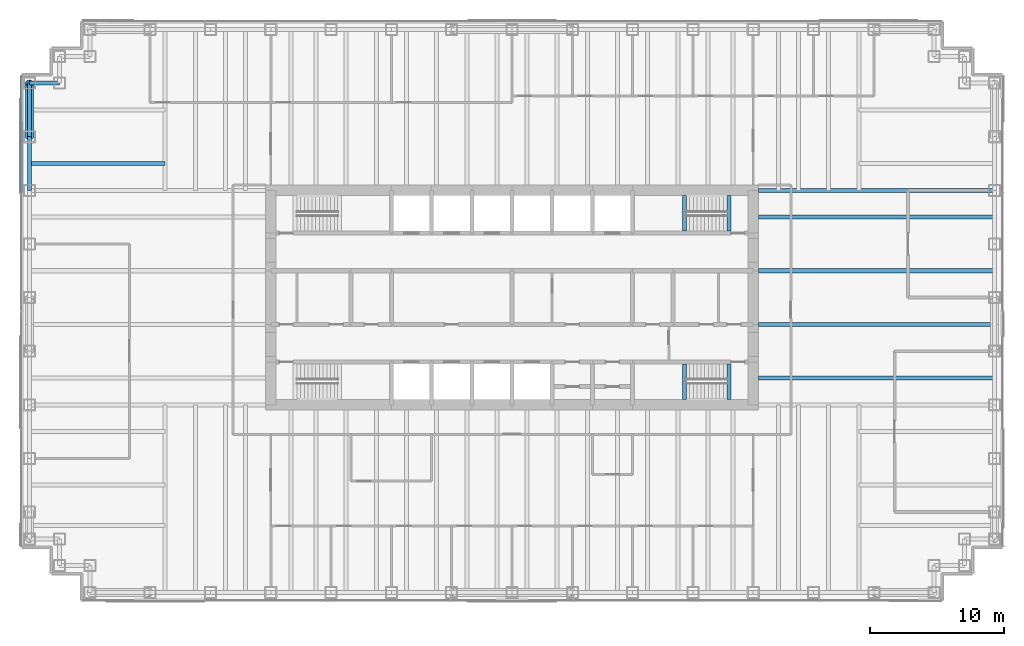
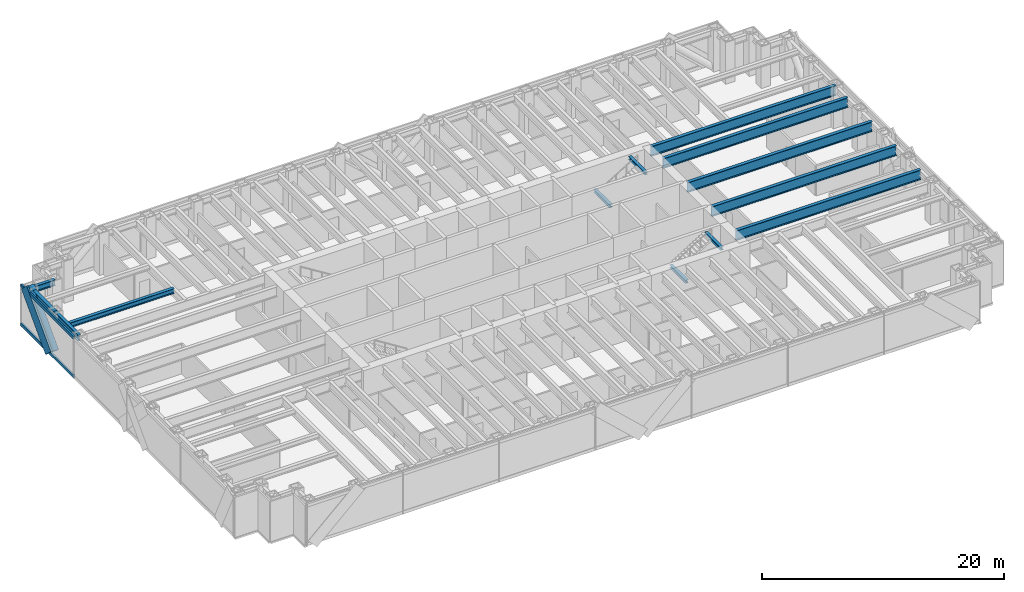
# One storey, part 4 of 15: 13 beams, 4 members, 1 element without a shape of its own.
"""IFC4 building model written with IfcOpenShell, lengths in metres."""

from ifc_helpers import new_model, si_unit, direction, frame, origin, origin_2d, place, context, subcontext, project, spatial, rectangle, hollow_circle, i_section, extrude, material, material_profile, profile_set, type_object, element, aggregate, save


model = new_model("IFC4")

# Units and contexts
model_context = context("Model", 3, precision=1e-05, world=origin(), true_north=direction((0.0, 1.0)))
body_context = subcontext(model_context, "Body", "Model", "MODEL_VIEW")
ifc_project = project(units=[si_unit("LENGTHUNIT", "METRE"), si_unit("AREAUNIT", "SQUARE_METRE"), si_unit("VOLUMEUNIT", "CUBIC_METRE"), si_unit("PLANEANGLEUNIT", "RADIAN"), si_unit("MASSUNIT", "GRAM", prefix="KILO")], contexts=[model_context])

# Site, building, storey
site_placement = place(None, origin())
site = spatial("IfcSite", under=ifc_project, at=site_placement, CompositionType="ELEMENT")
building_placement = place(site_placement, origin())
building = spatial("IfcBuilding", under=site, at=building_placement, Name="Rheinbord Bourse Tower", CompositionType="ELEMENT")
storey_placement = place(building_placement, frame((0.0, 0.0, 215.199951171875)))
storey = spatial("IfcBuildingStorey", under=building, at=storey_placement, Name="L48", CompositionType="ELEMENT", Elevation=215.199951171875)

# Curtain wall, members
ifc_material_1 = material(Name="Dark glass and black aluminium", Category="aluminium")
curtain_wall_type = type_object("IfcCurtainWallType", Name="CW2 DARK GLASS CURTAIN WALL", PredefinedType="USERDEFINED", material=ifc_material_1)
curtain_wall_placement = place(storey_placement, origin())
curtain_wall = element("IfcCurtainWall", 1, at=curtain_wall_placement, inside=storey, type_object=curtain_wall_type, Name="Curtain wall CW2 W L48", ObjectType="UNITISED CURTAIN WALL", PredefinedType="USERDEFINED")
ifc_material_2 = material(Name="Black anodised aluminium", Category="aluminium")
ifc_material_profile_1 = material_profile(ifc_material_2, rectangle(XDim=0.159912109375, YDim=1.2099609375, at=origin_2d()), Name="CW2 DIAGONAL MULLION 1210x160")
ifc_profile_set_1 = profile_set([ifc_material_profile_1], Name="Black anodised aluminium")
member_type_1 = type_object("IfcMemberType", Name="CW2 BLACK DIAGONAL MULLION", PredefinedType="USERDEFINED", material=ifc_profile_set_1)
member_1_placement = place(storey_placement, frame((-0.60009765625, 36.0, 0.0), z_axis=(0.0, 0.689659376744, 0.724133926887), x_axis=(-1.0, 0.0, 0.0)))
member_1 = element("IfcMember", 2, at=member_1_placement, type_object=member_type_1, Name="CW2 diagonal mullion d", ObjectType="DIAGONAL MULLION", PredefinedType="USERDEFINED", context=body_context, shape_type="SweptSolid", body=[
    extrude(rectangle(XDim=0.159912109375, YDim=1.2099609375, at=origin_2d()), origin(), (0.0, 0.0, 1.0), 5.800048828125),
])
ifc_material_3 = material(Name="Black anodised aluminium", Category="aluminium")
ifc_material_profile_2 = material_profile(ifc_material_3, rectangle(XDim=0.159912109375, YDim=0.300048828125, at=origin_2d()), Name="CW2 TRANSOM 300x160")
ifc_profile_set_2 = profile_set([ifc_material_profile_2], Name="Black anodised aluminium")
member_type_2 = type_object("IfcMemberType", Name="CW2 BLACK TRANSOM", PredefinedType="USERDEFINED", material=ifc_profile_set_2)
member_2_placement = place(storey_placement, frame((-0.60009765625, 40.530029296875, 0.150146484375), z_axis=(0.0, -1.0, 0.0), x_axis=(1.0, 0.0, 0.0)))
member_2 = element("IfcMember", 3, at=member_2_placement, type_object=member_type_2, Name="CW2 transom 1.1", ObjectType="TRANSOM", PredefinedType="USERDEFINED", context=body_context, shape_type="SweptSolid", body=[
    extrude(rectangle(XDim=0.159912109375, YDim=0.300048828125, at=origin_2d()), origin(), (0.0, 0.0, 1.0), 8.695068359375),
])
member_3_placement = place(storey_placement, frame((-0.60009765625, 40.530029296875, 4.050048828125), z_axis=(0.0, -1.0, 0.0), x_axis=(1.0, 0.0, 0.0)))
member_3 = element("IfcMember", 4, at=member_3_placement, type_object=member_type_2, Name="CW2 transom 1.2", ObjectType="TRANSOM", PredefinedType="USERDEFINED", context=body_context, shape_type="SweptSolid", body=[
    extrude(rectangle(XDim=0.159912109375, YDim=0.300048828125, at=origin_2d()), origin(), (0.0, 0.0, 1.0), 8.695068359375),
])
aggregate(curtain_wall, [member_2, member_3, member_1])

# Beams
ifc_material_4 = material(Name="Steel S460", Category="steel")
ifc_material_profile_3 = material_profile(ifc_material_4, i_section(OverallWidth=0.302001953125, OverallDepth=1.008056640625, WebThickness=0.02099609375, FlangeThickness=0.0400390625, at=origin_2d()), Name="HEM 1000")
ifc_profile_set_3 = profile_set([ifc_material_profile_3], Name="Steel S460")
beam_type_1 = type_object("IfcBeamType", Name="END BEAM HEM 1000", PredefinedType="BEAM", material=ifc_profile_set_3)
for number, where, z_axis, x_axis, name in (
    (5, (54.39990234375, 18.0, 3.5361328125), (1.0, 0.0, 0.0), (0.0, 1.0, 0.0), "End beam east 18 L49"),
    (6, (54.39990234375, 22.0, 3.5361328125), (1.0, 0.0, 0.0), (0.0, 1.0, 0.0), "End beam east 22 L49"),
    (7, (54.39990234375, 26.0, 3.5361328125), (1.0, 0.0, 0.0), (0.0, 1.0, 0.0), "End beam east 26 L49"),
    (8, (54.39990234375, 30.0, 3.5361328125), (1.0, 0.0, 0.0), (0.0, 1.0, 0.0), "End beam east 30 L49"),
):
    element("IfcBeam", number, at=place(storey_placement, frame(where, z_axis=z_axis, x_axis=x_axis)), inside=storey, type_object=beam_type_1, Name=name, PredefinedType="BEAM", context=body_context, shape_type="SweptSolid", body=[
        extrude(i_section(OverallWidth=0.302001953125, OverallDepth=1.008056640625, WebThickness=0.02099609375, FlangeThickness=0.0400390625, at=origin_2d()), origin(), (0.0, 0.0, 1.0), 17.60009765625),
    ])
ifc_material_5 = material(Name="Steel S460", Category="steel")
ifc_material_profile_4 = material_profile(ifc_material_5, i_section(OverallWidth=0.302001953125, OverallDepth=1.008056640625, WebThickness=0.02099609375, FlangeThickness=0.0400390625, at=origin_2d()), Name="HEM 1000")
ifc_profile_set_4 = profile_set([ifc_material_profile_4], Name="Steel S460")
beam_type_2 = type_object("IfcBeamType", Name="GIRDER HEM 1000", PredefinedType="BEAM", material=ifc_profile_set_4)
beam_1_placement = place(storey_placement, frame((54.39990234375, 32.0, 3.5361328125), z_axis=(1.0, 0.0, 0.0), x_axis=(0.0, 1.0, 0.0)))
element("IfcBeam", 9, at=beam_1_placement, inside=storey, type_object=beam_type_2, Name="Girder east 32 L49", PredefinedType="BEAM", context=body_context, shape_type="SweptSolid", body=[
    extrude(i_section(OverallWidth=0.302001953125, OverallDepth=1.008056640625, WebThickness=0.02099609375, FlangeThickness=0.0400390625, at=origin_2d()), origin(), (0.0, 0.0, 1.0), 17.60009765625),
])
ifc_material_6 = material(Name="Steel S460", Category="steel")
ifc_material_profile_5 = material_profile(ifc_material_6, i_section(OverallWidth=0.300048828125, OverallDepth=0.300048828125, WebThickness=0.010986328125, FlangeThickness=0.01904296875, at=origin_2d()), Name="HEB 300")
ifc_profile_set_5 = profile_set([ifc_material_profile_5], Name="Steel S460")
beam_type_3 = type_object("IfcBeamType", Name="LANDING TRIMMER HEB 300", PredefinedType="BEAM", material=ifc_profile_set_5)
for number, where, z_axis, x_axis, name in (
    (10, (48.8701171875, 16.39990234375, 1.75), (0.0, 1.0, 0.0), (-1.0, 0.0, 0.0), "Landing trimmer ST3 L48"),
    (11, (52.199951171875, 16.39990234375, 3.89013671875), (0.0, 1.0, 0.0), (-1.0, 0.0, 0.0), "Well trimmer ST3 under L49"),
    (12, (48.8701171875, 28.949951171875, 1.75), (0.0, 1.0, 0.0), (-1.0, 0.0, 0.0), "Landing trimmer ST4 L48"),
    (13, (52.199951171875, 28.949951171875, 3.89013671875), (0.0, 1.0, 0.0), (-1.0, 0.0, 0.0), "Well trimmer ST4 under L49"),
):
    element("IfcBeam", number, at=place(storey_placement, frame(where, z_axis=z_axis, x_axis=x_axis)), inside=storey, type_object=beam_type_3, Name=name, PredefinedType="BEAM", context=body_context, shape_type="SweptSolid", body=[
        extrude(i_section(OverallWidth=0.300048828125, OverallDepth=0.300048828125, WebThickness=0.010986328125, FlangeThickness=0.01904296875, at=origin_2d()), origin(), (0.0, 0.0, 1.0), 2.650146484375),
    ])

# Member
ifc_material_7 = material(Name="Steel S460", Category="steel")
ifc_material_profile_6 = material_profile(ifc_material_7, hollow_circle(Radius=0.304931640625, WallThickness=0.0400390625, at=origin_2d()), Name="CHS 610x40")
ifc_profile_set_6 = profile_set([ifc_material_profile_6], Name="Steel S460")
member_type_3 = type_object("IfcMemberType", Name="MEGABRACE CHS 610x40", PredefinedType="BRACE", material=ifc_profile_set_6)
member_4_placement = place(storey_placement, frame((0.0, 36.0, 0.0), z_axis=(0.0, 0.689659376744, 0.724133926887), x_axis=(-1.0, 0.0, 0.0)))
element("IfcMember", 14, at=member_4_placement, inside=storey, type_object=member_type_3, Name="Megabrace W face line d L48", PredefinedType="BRACE", context=body_context, shape_type="SweptSolid", body=[
    extrude(hollow_circle(Radius=0.304931640625, WallThickness=0.0400390625, at=origin_2d()), origin(), (0.0, 0.0, 1.0), 5.800048828125),
])

# Beams
ifc_material_8 = material(Name="Steel S460", Category="steel")
ifc_material_profile_7 = material_profile(ifc_material_8, i_section(OverallWidth=0.300048828125, OverallDepth=0.60009765625, WebThickness=0.015380859375, FlangeThickness=0.030029296875, at=origin_2d()), Name="HEB 600")
ifc_profile_set_7 = profile_set([ifc_material_profile_7], Name="Steel S460")
beam_type_4 = type_object("IfcBeamType", Name="SPANDREL HEB 600", PredefinedType="SPANDREL", material=ifc_profile_set_7)
beam_2_placement = place(storey_placement, frame((2.25, 40.0, 3.739990234375), z_axis=(-1.0, 0.0, 0.0), x_axis=(0.0, -1.0, 0.0)))
element("IfcBeam", 15, at=beam_2_placement, inside=storey, type_object=beam_type_4, Name="Spandrel NW-B-NW-A under L49", PredefinedType="SPANDREL", context=body_context, shape_type="SweptSolid", body=[
    extrude(i_section(OverallWidth=0.300048828125, OverallDepth=0.60009765625, WebThickness=0.015380859375, FlangeThickness=0.030029296875, at=origin_2d()), origin(), (0.0, 0.0, 1.0), 2.25),
])
for number, where, z_axis, x_axis, name in (
    (16, (0.0, 40.0, 3.739990234375), (0.0, -1.0, 0.0), (1.0, 0.0, 0.0), "Spandrel NW-A-W-36 under L49"),
    (17, (0.0, 36.0, 3.739990234375), (0.0, -1.0, 0.0), (1.0, 0.0, 0.0), "Spandrel W-36-W-32 under L49"),
):
    element("IfcBeam", number, at=place(storey_placement, frame(where, z_axis=z_axis, x_axis=x_axis)), inside=storey, type_object=beam_type_4, Name=name, PredefinedType="SPANDREL", context=body_context, shape_type="SweptSolid", body=[
        extrude(i_section(OverallWidth=0.300048828125, OverallDepth=0.60009765625, WebThickness=0.015380859375, FlangeThickness=0.030029296875, at=origin_2d()), origin(), (0.0, 0.0, 1.0), 4.0),
    ])
ifc_material_9 = material(Name="Steel S460", Category="steel")
ifc_material_profile_8 = material_profile(ifc_material_9, i_section(OverallWidth=0.300048828125, OverallDepth=0.5, WebThickness=0.014404296875, FlangeThickness=0.028076171875, at=origin_2d()), Name="HEB 500")
ifc_profile_set_8 = profile_set([ifc_material_profile_8], Name="Steel S460")
beam_type_5 = type_object("IfcBeamType", Name="TIE BEAM HEB 500", PredefinedType="JOIST", material=ifc_profile_set_8)
beam_3_placement = place(storey_placement, frame((0.0, 34.0, 3.7900390625), z_axis=(1.0, 0.0, 0.0), x_axis=(0.0, 1.0, 0.0)))
element("IfcBeam", 18, at=beam_3_placement, inside=storey, type_object=beam_type_5, Name="Tie west 34 L49", PredefinedType="JOIST", context=body_context, shape_type="SweptSolid", body=[
    extrude(i_section(OverallWidth=0.300048828125, OverallDepth=0.5, WebThickness=0.014404296875, FlangeThickness=0.028076171875, at=origin_2d()), origin(), (0.0, 0.0, 1.0), 10.125),
])

save(model, "model.ifc")
